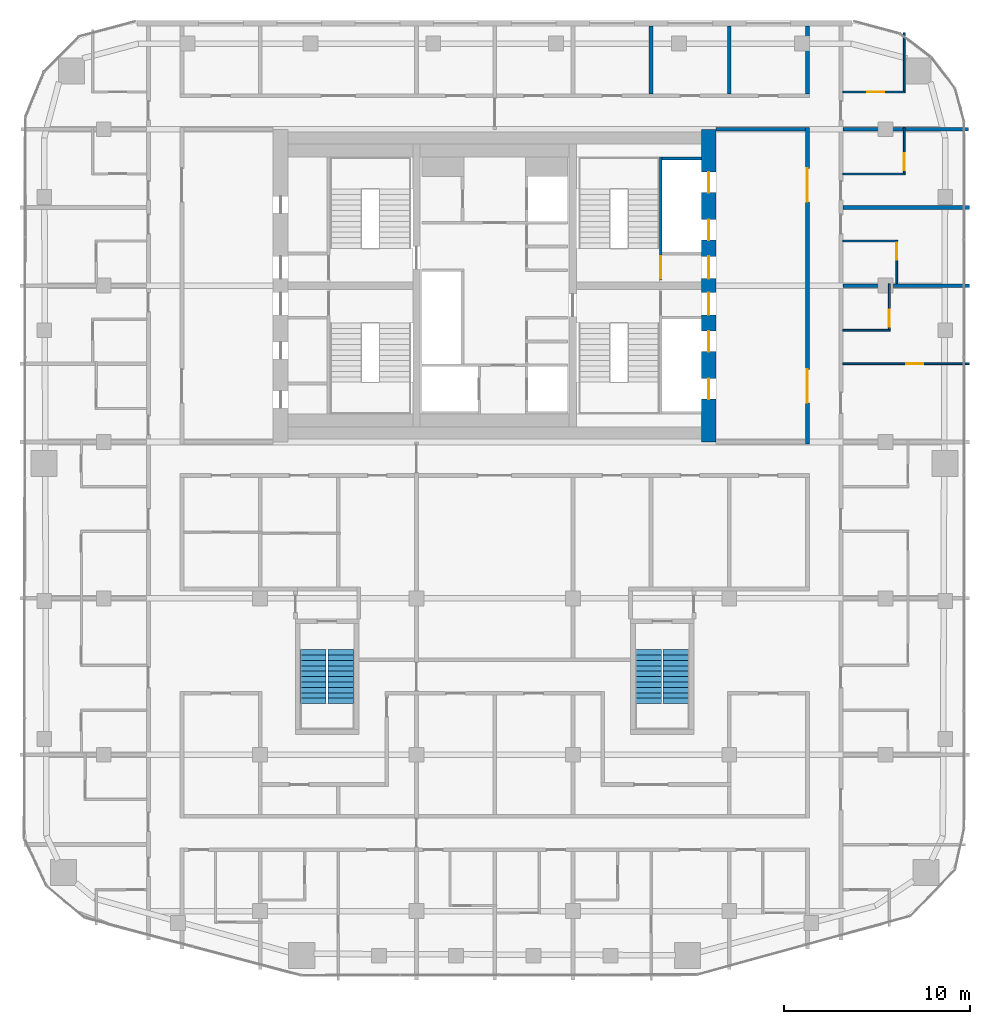
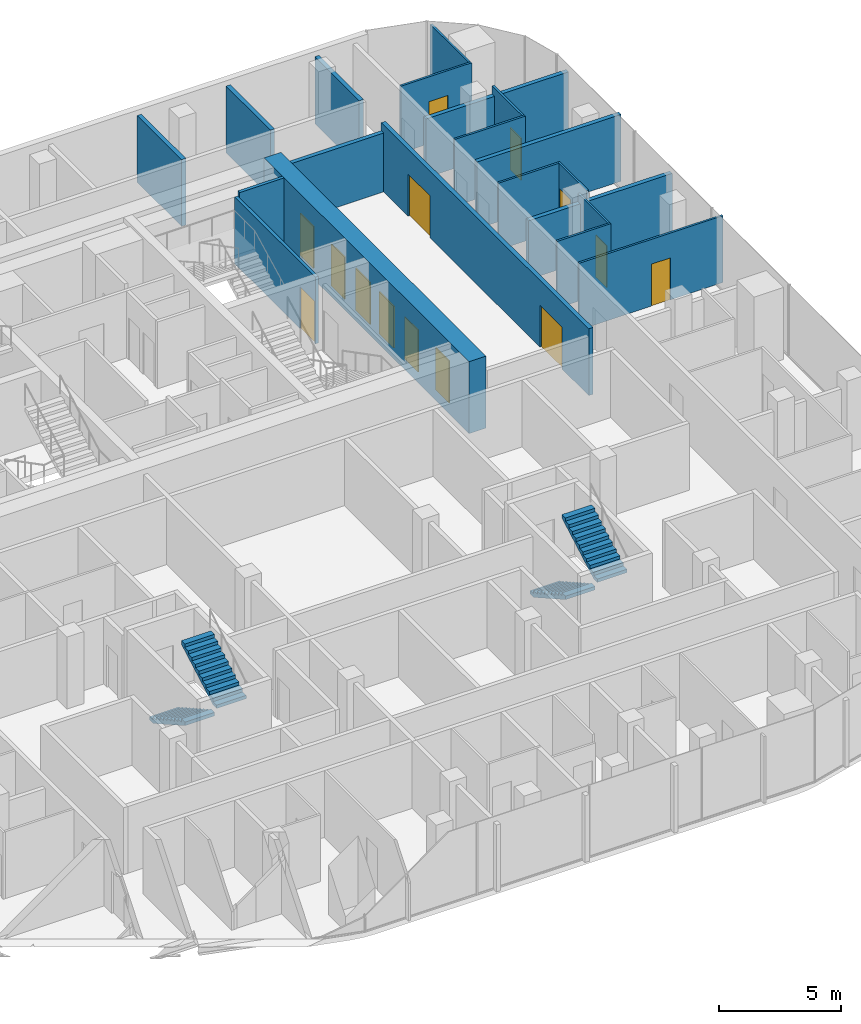
# One storey, part 20 of 22: 20 walls, 14 doors, 4 stair flights, 14 openings, 2 elements without a shape of their own.
"""IFC4 building model written with IfcOpenShell, lengths in metres."""

from ifc_helpers import new_model, si_unit, direction, frame, frame_2d, origin, place, context, subcontext, project, spatial, polyline, rectangle, outline, extrude, material, layer, layer_set, type_object, element, fill, aggregate, save


model = new_model("IFC4")

# Units and contexts
model_context = context("Model", 3, precision=1e-05, world=origin(), true_north=direction((0.0, 1.0)))
body_context = subcontext(model_context, "Body", "Model", "MODEL_VIEW")
ifc_project = project(units=[si_unit("LENGTHUNIT", "METRE"), si_unit("AREAUNIT", "SQUARE_METRE"), si_unit("VOLUMEUNIT", "CUBIC_METRE"), si_unit("PLANEANGLEUNIT", "RADIAN"), si_unit("MASSUNIT", "GRAM", prefix="KILO")], contexts=[model_context])

# Site, building, storey
site_placement = place(None, origin())
site = spatial("IfcSite", under=ifc_project, at=site_placement, CompositionType="ELEMENT")
building_placement = place(site_placement, origin())
building = spatial("IfcBuilding", under=site, at=building_placement, Name="Marenta Gate Hotel Tower", CompositionType="ELEMENT")
storey_placement = place(building_placement, frame((0.0, 0.0, 238.10009765625)))
storey = spatial("IfcBuildingStorey", under=building, at=storey_placement, Name="L56", CompositionType="ELEMENT", Elevation=238.10009765625)

# Wall, openings, doors
ifc_material_1 = material(Name="Concrete blockwork", Category="masonry")
ifc_layer_1 = layer(ifc_material_1, 0.199951171875)
ifc_layer_set_1 = layer_set([ifc_layer_1], Name="Concrete blockwork")
wall_type_1 = type_object("IfcWallType", Name="Core boundary wall 200 REI 180", PredefinedType="PARTITIONING", material=ifc_layer_set_1)
wall_1_placement = place(storey_placement, frame((16.800048828125, -0.10009765625, 0.0), z_axis=(0.0, 0.0, 1.0), x_axis=(0.0, 1.0, 0.0)))
wall_1 = element("IfcWall", 1, at=wall_1_placement, inside=storey, type_object=wall_type_1, Name="L56-CP-BW-E", PredefinedType="PARTITIONING", context=body_context, shape_type="SweptSolid", body=[
    extrude(rectangle(XDim=17.0, YDim=0.199951171875, at=frame_2d((8.5, 0.0))), origin(), (0.0, 0.0, 1.0), 3.33984375),
])
opening_1_placement = place(wall_1_placement, frame((2.199951171875, 0.0, 0.0)))
opening_1 = element("IfcOpeningElement", 2, at=opening_1_placement, cuts=wall_1, Name="Opening ED-Ea-B", PredefinedType="OPENING", context=body_context, shape_type="SweptSolid", body=[
    extrude(rectangle(XDim=1.800048828125, YDim=2.10009765625, at=frame_2d((0.89990234375, 1.050048828125))), frame((0.0, 0.10009765625, 0.0), z_axis=(0.0, -1.0, 0.0), x_axis=(1.0, 0.0, 0.0)), (0.0, 0.0, 1.0), 0.199951171875),
])
opening_2_placement = place(wall_1_placement, frame((13.0, 0.0, 0.0)))
opening_2 = element("IfcOpeningElement", 3, at=opening_2_placement, cuts=wall_1, Name="Opening ED-Eb-B", PredefinedType="OPENING", context=body_context, shape_type="SweptSolid", body=[
    extrude(rectangle(XDim=1.800048828125, YDim=2.10009765625, at=frame_2d((0.89990234375, 1.050048828125))), frame((0.0, 0.10009765625, 0.0), z_axis=(0.0, -1.0, 0.0), x_axis=(1.0, 0.0, 0.0)), (0.0, 0.0, 1.0), 0.199951171875),
])
ifc_material_2 = material(Name="Steel", Category="steel")
door_type_1 = type_object("IfcDoorType", Name="Core lobby entrance door 1800x2100 EI 60", OperationType="DOUBLE_DOOR_SINGLE_SWING", PredefinedType="DOOR", material=ifc_material_2)
door_1_placement = place(opening_1_placement, origin())
door_1 = element("IfcDoor", 4, at=door_1_placement, inside=storey, type_object=door_type_1, Name="ED-Ea-B", OperationType="DOUBLE_DOOR_SINGLE_SWING", OverallHeight=2.10009765625, OverallWidth=1.800048828125, PredefinedType="DOOR", context=body_context, shape_type="SweptSolid", body=[
    extrude(rectangle(XDim=1.800048828125, YDim=2.10009765625, at=frame_2d((0.89990234375, 1.050048828125))), frame((0.0, 0.02490234375, 0.0), z_axis=(0.0, -1.0, 0.0), x_axis=(1.0, 0.0, 0.0)), (0.0, 0.0, 1.0), 0.050048828125),
])
fill(opening_1, door_1)
door_2_placement = place(opening_2_placement, origin())
door_2 = element("IfcDoor", 5, at=door_2_placement, inside=storey, type_object=door_type_1, Name="ED-Eb-B", OperationType="DOUBLE_DOOR_SINGLE_SWING", OverallHeight=2.10009765625, OverallWidth=1.800048828125, PredefinedType="DOOR", context=body_context, shape_type="SweptSolid", body=[
    extrude(rectangle(XDim=1.800048828125, YDim=2.10009765625, at=frame_2d((0.89990234375, 1.050048828125))), frame((0.0, 0.02490234375, 0.0), z_axis=(0.0, -1.0, 0.0), x_axis=(1.0, 0.0, 0.0)), (0.0, 0.0, 1.0), 0.050048828125),
])
fill(opening_2, door_2)

# Walls
wall_2_placement = place(storey_placement, frame((11.89990234375, 16.800048828125, 0.0), z_axis=(0.0, 0.0, 1.0), x_axis=(1.0, 0.0, 0.0)))
element("IfcWall", 6, at=wall_2_placement, inside=storey, type_object=wall_type_1, Name="L56-CP-EW-EN", PredefinedType="PARTITIONING", context=body_context, shape_type="SweptSolid", body=[
    extrude(rectangle(XDim=4.800048828125, YDim=0.199951171875, at=frame_2d((2.39990234375, 0.0))), origin(), (0.0, 0.0, 1.0), 2.93994140625),
])
ifc_material_3 = material(Name="Concrete C40", Category="concrete")
ifc_layer_2 = layer(ifc_material_3, 0.14990234375)
ifc_layer_set_2 = layer_set([ifc_layer_2], Name="Concrete C40")
wall_type_2 = type_object("IfcWallType", Name="Core shaft wall 150 REI 180", PredefinedType="SHEAR", material=ifc_layer_set_2)
wall_3_placement = place(storey_placement, frame((9.0, 15.22509765625, 0.0), z_axis=(0.0, 0.0, 1.0), x_axis=(1.0, 0.0, 0.0)))
element("IfcWall", 7, at=wall_3_placement, inside=storey, type_object=wall_type_2, Name="L56-SHF-SW-EN-5", PredefinedType="SHEAR", context=body_context, shape_type="SweptSolid", body=[
    extrude(rectangle(XDim=2.10009765625, YDim=0.14990234375, at=frame_2d((1.050048828125, 0.0))), origin(), (0.0, 0.0, 1.0), 3.599853515625),
])

# Wall, opening, door
ifc_material_4 = material(Name="Concrete C40", Category="concrete")
ifc_layer_3 = layer(ifc_material_4, 0.14990234375)
ifc_layer_set_3 = layer_set([ifc_layer_3], Name="Concrete C40")
wall_type_3 = type_object("IfcWallType", Name="Core stair enclosure wall 150 REI 180", PredefinedType="SHEAR", material=ifc_layer_set_3)
wall_4_placement = place(storey_placement, frame((8.925048828125, 8.699951171875, 0.0), z_axis=(0.0, 0.0, 1.0), x_axis=(0.0, 1.0, 0.0)))
wall_4 = element("IfcWall", 8, at=wall_4_placement, inside=storey, type_object=wall_type_3, Name="L56-SHF-SW-EN-3", PredefinedType="SHEAR", context=body_context, shape_type="SweptSolid", body=[
    extrude(rectangle(XDim=6.60009765625, YDim=0.14990234375, at=frame_2d((3.300048828125, 0.0))), origin(), (0.0, 0.0, 1.0), 3.33984375),
])
opening_3_placement = place(wall_4_placement, frame((0.074951171875, 0.0, 0.0)))
opening_3 = element("IfcOpeningElement", 9, at=opening_3_placement, cuts=wall_4, Name="Opening SD-EN", PredefinedType="OPENING", context=body_context, shape_type="SweptSolid", body=[
    extrude(rectangle(XDim=1.199951171875, YDim=2.10009765625, at=frame_2d((0.60009765625, 1.050048828125))), frame((0.0, 0.074951171875, 0.0), z_axis=(0.0, -1.0, 0.0), x_axis=(1.0, 0.0, 0.0)), (0.0, 0.0, 1.0), 0.14990234375),
])
ifc_material_5 = material(Name="Steel", Category="steel")
door_type_2 = type_object("IfcDoorType", Name="Core stair door 1200x2100 FD60", OperationType="SINGLE_SWING_LEFT", PredefinedType="DOOR", material=ifc_material_5)
door_3_placement = place(opening_3_placement, origin())
door_3 = element("IfcDoor", 10, at=door_3_placement, inside=storey, type_object=door_type_2, Name="SD-EN", OperationType="SINGLE_SWING_LEFT", OverallHeight=2.10009765625, OverallWidth=1.199951171875, PredefinedType="DOOR", context=body_context, shape_type="SweptSolid", body=[
    extrude(rectangle(XDim=1.199951171875, YDim=2.10009765625, at=frame_2d((0.60009765625, 1.050048828125))), frame((0.0, 0.02490234375, 0.0), z_axis=(0.0, -1.0, 0.0), x_axis=(1.0, 0.0, 0.0)), (0.0, 0.0, 1.0), 0.050048828125),
])
fill(opening_3, door_3)

# Wall, openings, doors
ifc_material_6 = material(Name="Concrete C60", Category="concrete")
ifc_layer_4 = layer(ifc_material_6, 0.800048828125)
ifc_layer_set_4 = layer_set([ifc_layer_4], Name="Concrete C60")
wall_type_4 = type_object("IfcWallType", Name="Core wall 800 C60", PredefinedType="SHEAR", material=ifc_layer_set_4)
wall_5_placement = place(storey_placement, frame((11.5, 0.0, 0.0), z_axis=(0.0, 0.0, 1.0), x_axis=(0.0, 1.0, 0.0)))
wall_5 = element("IfcWall", 11, at=wall_5_placement, inside=storey, type_object=wall_type_4, Name="L56-CORE-E", PredefinedType="SHEAR", context=body_context, shape_type="SweptSolid", body=[
    extrude(rectangle(XDim=16.800048828125, YDim=0.800048828125, at=frame_2d((8.39990234375, 0.0))), origin(), (0.0, 0.0, 1.0), 3.599853515625),
])
opening_4_placement = place(wall_5_placement, frame((2.300048828125, 0.0, 0.0)))
opening_4 = element("IfcOpeningElement", 12, at=opening_4_placement, cuts=wall_5, Name="Opening LD-HR1", PredefinedType="OPENING", context=body_context, shape_type="SweptSolid", body=[
    extrude(rectangle(XDim=1.10009765625, YDim=2.10009765625, at=frame_2d((0.550048828125, 1.050048828125))), frame((0.0, 0.39990234375, 0.0), z_axis=(0.0, -1.0, 0.0), x_axis=(1.0, 0.0, 0.0)), (0.0, 0.0, 1.0), 0.800048828125),
])
opening_5_placement = place(wall_5_placement, frame((4.85009765625, 0.0, 0.0)))
opening_5 = element("IfcOpeningElement", 13, at=opening_5_placement, cuts=wall_5, Name="Opening LD-HR2", PredefinedType="OPENING", context=body_context, shape_type="SweptSolid", body=[
    extrude(rectangle(XDim=1.10009765625, YDim=2.10009765625, at=frame_2d((0.550048828125, 1.050048828125))), frame((0.0, 0.39990234375, 0.0), z_axis=(0.0, -1.0, 0.0), x_axis=(1.0, 0.0, 0.0)), (0.0, 0.0, 1.0), 0.800048828125),
])
opening_6_placement = place(wall_5_placement, frame((6.824951171875, 0.0, 0.0)))
opening_6 = element("IfcOpeningElement", 14, at=opening_6_placement, cuts=wall_5, Name="Opening PD-ES", PredefinedType="OPENING", context=body_context, shape_type="SweptSolid", body=[
    extrude(rectangle(XDim=1.199951171875, YDim=2.10009765625, at=frame_2d((0.60009765625, 1.050048828125))), frame((0.0, 0.39990234375, 0.0), z_axis=(0.0, -1.0, 0.0), x_axis=(1.0, 0.0, 0.0)), (0.0, 0.0, 1.0), 0.800048828125),
])
opening_7_placement = place(wall_5_placement, frame((13.39990234375, 0.0, 0.0)))
opening_7 = element("IfcOpeningElement", 15, at=opening_7_placement, cuts=wall_5, Name="Opening LD-HR4", PredefinedType="OPENING", context=body_context, shape_type="SweptSolid", body=[
    extrude(rectangle(XDim=1.10009765625, YDim=2.10009765625, at=frame_2d((0.550048828125, 1.050048828125))), frame((0.0, 0.39990234375, 0.0), z_axis=(0.0, -1.0, 0.0), x_axis=(1.0, 0.0, 0.0)), (0.0, 0.0, 1.0), 0.800048828125),
])
opening_8_placement = place(wall_5_placement, frame((10.85009765625, 0.0, 0.0)))
opening_8 = element("IfcOpeningElement", 16, at=opening_8_placement, cuts=wall_5, Name="Opening LD-HR3", PredefinedType="OPENING", context=body_context, shape_type="SweptSolid", body=[
    extrude(rectangle(XDim=1.10009765625, YDim=2.10009765625, at=frame_2d((0.550048828125, 1.050048828125))), frame((0.0, 0.39990234375, 0.0), z_axis=(0.0, -1.0, 0.0), x_axis=(1.0, 0.0, 0.0)), (0.0, 0.0, 1.0), 0.800048828125),
])
opening_9_placement = place(wall_5_placement, frame((8.77490234375, 0.0, 0.0)))
opening_9 = element("IfcOpeningElement", 17, at=opening_9_placement, cuts=wall_5, Name="Opening PD-EN", PredefinedType="OPENING", context=body_context, shape_type="SweptSolid", body=[
    extrude(rectangle(XDim=1.199951171875, YDim=2.10009765625, at=frame_2d((0.60009765625, 1.050048828125))), frame((0.0, 0.39990234375, 0.0), z_axis=(0.0, -1.0, 0.0), x_axis=(1.0, 0.0, 0.0)), (0.0, 0.0, 1.0), 0.800048828125),
])
ifc_material_7 = material(Name="Steel", Category="steel")
door_type_3 = type_object("IfcDoorType", Name="Core lift landing door 1100x2100 E 60", OperationType="SLIDING_TO_LEFT", PredefinedType="DOOR", material=ifc_material_7)
door_4_placement = place(opening_4_placement, origin())
door_4 = element("IfcDoor", 18, at=door_4_placement, inside=storey, type_object=door_type_3, Name="LD-HR1", OperationType="SLIDING_TO_LEFT", OverallHeight=2.10009765625, OverallWidth=1.10009765625, PredefinedType="DOOR", context=body_context, shape_type="SweptSolid", body=[
    extrude(rectangle(XDim=1.10009765625, YDim=2.10009765625, at=frame_2d((0.550048828125, 1.050048828125))), frame((0.0, 0.02490234375, 0.0), z_axis=(0.0, -1.0, 0.0), x_axis=(1.0, 0.0, 0.0)), (0.0, 0.0, 1.0), 0.050048828125),
])
fill(opening_4, door_4)
door_5_placement = place(opening_5_placement, origin())
door_5 = element("IfcDoor", 19, at=door_5_placement, inside=storey, type_object=door_type_3, Name="LD-HR2", OperationType="SLIDING_TO_LEFT", OverallHeight=2.10009765625, OverallWidth=1.10009765625, PredefinedType="DOOR", context=body_context, shape_type="SweptSolid", body=[
    extrude(rectangle(XDim=1.10009765625, YDim=2.10009765625, at=frame_2d((0.550048828125, 1.050048828125))), frame((0.0, 0.02490234375, 0.0), z_axis=(0.0, -1.0, 0.0), x_axis=(1.0, 0.0, 0.0)), (0.0, 0.0, 1.0), 0.050048828125),
])
fill(opening_5, door_5)
door_6_placement = place(opening_7_placement, origin())
door_6 = element("IfcDoor", 20, at=door_6_placement, inside=storey, type_object=door_type_3, Name="LD-HR4", OperationType="SLIDING_TO_LEFT", OverallHeight=2.10009765625, OverallWidth=1.10009765625, PredefinedType="DOOR", context=body_context, shape_type="SweptSolid", body=[
    extrude(rectangle(XDim=1.10009765625, YDim=2.10009765625, at=frame_2d((0.550048828125, 1.050048828125))), frame((0.0, 0.02490234375, 0.0), z_axis=(0.0, -1.0, 0.0), x_axis=(1.0, 0.0, 0.0)), (0.0, 0.0, 1.0), 0.050048828125),
])
fill(opening_7, door_6)
door_7_placement = place(opening_8_placement, origin())
door_7 = element("IfcDoor", 21, at=door_7_placement, inside=storey, type_object=door_type_3, Name="LD-HR3", OperationType="SLIDING_TO_LEFT", OverallHeight=2.10009765625, OverallWidth=1.10009765625, PredefinedType="DOOR", context=body_context, shape_type="SweptSolid", body=[
    extrude(rectangle(XDim=1.10009765625, YDim=2.10009765625, at=frame_2d((0.550048828125, 1.050048828125))), frame((0.0, 0.02490234375, 0.0), z_axis=(0.0, -1.0, 0.0), x_axis=(1.0, 0.0, 0.0)), (0.0, 0.0, 1.0), 0.050048828125),
])
fill(opening_8, door_7)
ifc_material_8 = material(Name="Steel", Category="steel")
door_type_4 = type_object("IfcDoorType", Name="Core lobby door 1200x2100 FD60", OperationType="SINGLE_SWING_LEFT", PredefinedType="DOOR", material=ifc_material_8)
door_8_placement = place(opening_6_placement, origin())
door_8 = element("IfcDoor", 22, at=door_8_placement, inside=storey, type_object=door_type_4, Name="PD-ES", OperationType="SINGLE_SWING_LEFT", OverallHeight=2.10009765625, OverallWidth=1.199951171875, PredefinedType="DOOR", context=body_context, shape_type="SweptSolid", body=[
    extrude(rectangle(XDim=1.199951171875, YDim=2.10009765625, at=frame_2d((0.60009765625, 1.050048828125))), frame((0.0, 0.02490234375, 0.0), z_axis=(0.0, -1.0, 0.0), x_axis=(1.0, 0.0, 0.0)), (0.0, 0.0, 1.0), 0.050048828125),
])
fill(opening_6, door_8)
door_9_placement = place(opening_9_placement, origin())
door_9 = element("IfcDoor", 23, at=door_9_placement, inside=storey, type_object=door_type_4, Name="PD-EN", OperationType="SINGLE_SWING_LEFT", OverallHeight=2.10009765625, OverallWidth=1.199951171875, PredefinedType="DOOR", context=body_context, shape_type="SweptSolid", body=[
    extrude(rectangle(XDim=1.199951171875, YDim=2.10009765625, at=frame_2d((0.60009765625, 1.050048828125))), frame((0.0, 0.02490234375, 0.0), z_axis=(0.0, -1.0, 0.0), x_axis=(1.0, 0.0, 0.0)), (0.0, 0.0, 1.0), 0.050048828125),
])
fill(opening_9, door_9)

# Wall
ifc_material_9 = material(Name="Gypsum board on steel stud", Category="steel")
ifc_layer_5 = layer(ifc_material_9, 0.199951171875)
ifc_layer_set_5 = layer_set([ifc_layer_5], Name="Gypsum board on steel stud")
wall_type_5 = type_object("IfcWallType", Name="Room corridor wall 200 EI 60", PredefinedType="PARTITIONING", material=ifc_layer_set_5)
wall_6_placement = place(storey_placement, frame((16.800048828125, 18.699951171875, 0.0), z_axis=(0.0, 0.0, 1.0), x_axis=(0.0, 1.0, 0.0)))
element("IfcWall", 24, at=wall_6_placement, inside=storey, type_object=wall_type_5, Name="L56-PTN-W029", PredefinedType="PARTITIONING", context=body_context, shape_type="SweptSolid", body=[
    extrude(rectangle(XDim=3.64013671875, YDim=0.199951171875, at=frame_2d((1.820068359375, 0.0))), origin(), (0.0, 0.0, 1.0), 3.33984375),
])

# Wall, opening, door
ifc_material_10 = material(Name="Gypsum board on steel stud", Category="steel")
ifc_layer_6 = layer(ifc_material_10, 0.10009765625)
ifc_layer_set_6 = layer_set([ifc_layer_6], Name="Gypsum board on steel stud")
wall_type_6 = type_object("IfcWallType", Name="Room partition 100", PredefinedType="PARTITIONING", material=ifc_layer_set_6)
wall_7_placement = place(storey_placement, frame((22.0, 14.449951171875, 0.0), z_axis=(0.0, 0.0, 1.0), x_axis=(0.0, 1.0, 0.0)))
wall_7 = element("IfcWall", 25, at=wall_7_placement, inside=storey, type_object=wall_type_6, Name="L56-PTN-W013", PredefinedType="PARTITIONING", context=body_context, shape_type="SweptSolid", body=[
    extrude(rectangle(XDim=2.449951171875, YDim=0.10009765625, at=frame_2d((1.22509765625, 0.0))), origin(), (0.0, 0.0, 1.0), 3.33984375),
])
opening_10_placement = place(wall_7_placement, frame((0.14990234375, 0.0, 0.0)))
opening_10 = element("IfcOpeningElement", 26, at=opening_10_placement, cuts=wall_7, Name="Opening G20-32", PredefinedType="OPENING", context=body_context, shape_type="SweptSolid", body=[
    extrude(rectangle(XDim=0.89990234375, YDim=2.10009765625, at=frame_2d((0.449951171875, 1.050048828125))), frame((0.0, 0.050048828125, 0.0), z_axis=(0.0, -1.0, 0.0), x_axis=(1.0, 0.0, 0.0)), (0.0, 0.0, 1.0), 0.10009765625),
])
ifc_material_11 = material(Name="Timber door leaf", Category="wood")
door_type_5 = type_object("IfcDoorType", Name="Guest bathroom door 900x2100", OperationType="NOTDEFINED", PredefinedType="DOOR", material=ifc_material_11)
door_10_placement = place(opening_10_placement, origin())
door_10 = element("IfcDoor", 27, at=door_10_placement, inside=storey, type_object=door_type_5, Name="L56-PD-D032", OperationType="SINGLE_SWING_LEFT", OverallHeight=2.10009765625, OverallWidth=0.89990234375, PredefinedType="DOOR", context=body_context, shape_type="SweptSolid", body=[
    extrude(rectangle(XDim=0.89990234375, YDim=2.10009765625, at=frame_2d((0.449951171875, 1.050048828125))), frame((0.0, 0.02490234375, 0.0), z_axis=(0.0, -1.0, 0.0), x_axis=(1.0, 0.0, 0.0)), (0.0, 0.0, 1.0), 0.050048828125),
])
fill(opening_10, door_10)

# Wall
wall_8_placement = place(storey_placement, frame((22.0, 18.85009765625, 0.0), z_axis=(0.0, 0.0, 1.0), x_axis=(0.0, 1.0, 0.0)))
element("IfcWall", 28, at=wall_8_placement, inside=storey, type_object=wall_type_6, Name="L56-PTN-W014", PredefinedType="PARTITIONING", context=body_context, shape_type="SweptSolid", body=[
    extrude(rectangle(XDim=3.12890625, YDim=0.10009765625, at=frame_2d((1.564453125, 0.0))), origin(), (0.0, 0.0, 1.0), 3.33984375),
])

# Wall, opening, door
wall_9_placement = place(storey_placement, frame((21.60009765625, 8.5, 0.0), z_axis=(0.0, 0.0, 1.0), x_axis=(0.0, 1.0, 0.0)))
wall_9 = element("IfcWall", 29, at=wall_9_placement, inside=storey, type_object=wall_type_6, Name="L56-PTN-W018", PredefinedType="PARTITIONING", context=body_context, shape_type="SweptSolid", body=[
    extrude(rectangle(XDim=2.35009765625, YDim=0.10009765625, at=frame_2d((1.175048828125, 0.0))), origin(), (0.0, 0.0, 1.0), 3.33984375),
])
opening_11_placement = place(wall_9_placement, frame((1.300048828125, 0.0, 0.0)))
opening_11 = element("IfcOpeningElement", 30, at=opening_11_placement, cuts=wall_9, Name="Opening G20-30", PredefinedType="OPENING", context=body_context, shape_type="SweptSolid", body=[
    extrude(rectangle(XDim=0.89990234375, YDim=2.10009765625, at=frame_2d((0.449951171875, 1.050048828125))), frame((0.0, 0.050048828125, 0.0), z_axis=(0.0, -1.0, 0.0), x_axis=(1.0, 0.0, 0.0)), (0.0, 0.0, 1.0), 0.10009765625),
])
door_11_placement = place(opening_11_placement, origin())
door_11 = element("IfcDoor", 31, at=door_11_placement, inside=storey, type_object=door_type_5, Name="L56-PD-D030", OperationType="SINGLE_SWING_RIGHT", OverallHeight=2.10009765625, OverallWidth=0.89990234375, PredefinedType="DOOR", context=body_context, shape_type="SweptSolid", body=[
    extrude(rectangle(XDim=0.89990234375, YDim=2.10009765625, at=frame_2d((0.449951171875, 1.050048828125))), frame((0.0, 0.02490234375, 0.0), z_axis=(0.0, -1.0, 0.0), x_axis=(1.0, 0.0, 0.0)), (0.0, 0.0, 1.0), 0.050048828125),
])
fill(opening_11, door_11)

wall_10_placement = place(storey_placement, frame((21.199951171875, 6.050048828125, 0.0), z_axis=(0.0, 0.0, 1.0), x_axis=(0.0, 1.0, 0.0)))
wall_10 = element("IfcWall", 32, at=wall_10_placement, inside=storey, type_object=wall_type_6, Name="L56-PTN-W020", PredefinedType="PARTITIONING", context=body_context, shape_type="SweptSolid", body=[
    extrude(rectangle(XDim=2.449951171875, YDim=0.10009765625, at=frame_2d((1.22509765625, 0.0))), origin(), (0.0, 0.0, 1.0), 3.33984375),
])
opening_12_placement = place(wall_10_placement, frame((0.14990234375, 0.0, 0.0)))
opening_12 = element("IfcOpeningElement", 33, at=opening_12_placement, cuts=wall_10, Name="Opening G20-28", PredefinedType="OPENING", context=body_context, shape_type="SweptSolid", body=[
    extrude(rectangle(XDim=0.89990234375, YDim=2.10009765625, at=frame_2d((0.449951171875, 1.050048828125))), frame((0.0, 0.050048828125, 0.0), z_axis=(0.0, -1.0, 0.0), x_axis=(1.0, 0.0, 0.0)), (0.0, 0.0, 1.0), 0.10009765625),
])
door_12_placement = place(opening_12_placement, origin())
door_12 = element("IfcDoor", 34, at=door_12_placement, inside=storey, type_object=door_type_5, Name="L56-PD-D028", OperationType="SINGLE_SWING_LEFT", OverallHeight=2.10009765625, OverallWidth=0.89990234375, PredefinedType="DOOR", context=body_context, shape_type="SweptSolid", body=[
    extrude(rectangle(XDim=0.89990234375, YDim=2.10009765625, at=frame_2d((0.449951171875, 1.050048828125))), frame((0.0, 0.02490234375, 0.0), z_axis=(0.0, -1.0, 0.0), x_axis=(1.0, 0.0, 0.0)), (0.0, 0.0, 1.0), 0.050048828125),
])
fill(opening_12, door_12)

wall_11_placement = place(storey_placement, frame((18.699951171875, 4.199951171875, 0.0), z_axis=(0.0, 0.0, 1.0), x_axis=(1.0, 0.0, 0.0)))
wall_11 = element("IfcWall", 35, at=wall_11_placement, inside=storey, type_object=wall_type_6, Name="L56-PTN-W083", PredefinedType="PARTITIONING", context=body_context, shape_type="SweptSolid", body=[
    extrude(rectangle(XDim=6.800048828125, YDim=0.10009765625, at=frame_2d((3.39990234375, 0.0))), origin(), (0.0, 0.0, 1.0), 3.33984375),
])
opening_13_placement = place(wall_11_placement, frame((3.409912109375, 0.0, 0.0)))
opening_13 = element("IfcOpeningElement", 36, at=opening_13_placement, cuts=wall_11, Name="Opening G20-27", PredefinedType="OPENING", context=body_context, shape_type="SweptSolid", body=[
    extrude(rectangle(XDim=0.89990234375, YDim=2.10009765625, at=frame_2d((0.449951171875, 1.050048828125))), frame((0.0, 0.050048828125, 0.0), z_axis=(0.0, -1.0, 0.0), x_axis=(1.0, 0.0, 0.0)), (0.0, 0.0, 1.0), 0.10009765625),
])
ifc_material_12 = material(Name="Timber door leaf", Category="wood")
door_type_6 = type_object("IfcDoorType", Name="Room inner door 900x2100", OperationType="NOTDEFINED", PredefinedType="DOOR", material=ifc_material_12)
door_13_placement = place(opening_13_placement, origin())
door_13 = element("IfcDoor", 37, at=door_13_placement, inside=storey, type_object=door_type_6, Name="L56-PD-D027", OperationType="SINGLE_SWING_RIGHT", OverallHeight=2.10009765625, OverallWidth=0.89990234375, PredefinedType="DOOR", context=body_context, shape_type="SweptSolid", body=[
    extrude(rectangle(XDim=0.89990234375, YDim=2.10009765625, at=frame_2d((0.449951171875, 1.050048828125))), frame((0.0, 0.02490234375, 0.0), z_axis=(0.0, -1.0, 0.0), x_axis=(1.0, 0.0, 0.0)), (0.0, 0.0, 1.0), 0.050048828125),
])
fill(opening_13, door_13)

# Walls
wall_12_placement = place(storey_placement, frame((18.699951171875, 6.0, 0.0), z_axis=(0.0, 0.0, 1.0), x_axis=(1.0, 0.0, 0.0)))
element("IfcWall", 38, at=wall_12_placement, inside=storey, type_object=wall_type_6, Name="L56-PTN-W085", PredefinedType="PARTITIONING", context=body_context, shape_type="SweptSolid", body=[
    extrude(rectangle(XDim=2.550048828125, YDim=0.10009765625, at=frame_2d((1.27490234375, 0.0))), origin(), (0.0, 0.0, 1.0), 3.33984375),
])
wall_13_placement = place(storey_placement, frame((18.699951171875, 10.800048828125, 0.0), z_axis=(0.0, 0.0, 1.0), x_axis=(1.0, 0.0, 0.0)))
element("IfcWall", 39, at=wall_13_placement, inside=storey, type_object=wall_type_6, Name="L56-PTN-W096", PredefinedType="PARTITIONING", context=body_context, shape_type="SweptSolid", body=[
    extrude(rectangle(XDim=2.85009765625, YDim=0.10009765625, at=frame_2d((1.425048828125, 0.0))), origin(), (0.0, 0.0, 1.0), 3.33984375),
])
wall_14_placement = place(storey_placement, frame((18.699951171875, 14.39990234375, 0.0), z_axis=(0.0, 0.0, 1.0), x_axis=(1.0, 0.0, 0.0)))
element("IfcWall", 40, at=wall_14_placement, inside=storey, type_object=wall_type_6, Name="L56-PTN-W105", PredefinedType="PARTITIONING", context=body_context, shape_type="SweptSolid", body=[
    extrude(rectangle(XDim=3.35009765625, YDim=0.10009765625, at=frame_2d((1.675048828125, 0.0))), origin(), (0.0, 0.0, 1.0), 3.33984375),
])

# Wall, opening, door
wall_15_placement = place(storey_placement, frame((18.699951171875, 18.800048828125, 0.0), z_axis=(0.0, 0.0, 1.0), x_axis=(1.0, 0.0, 0.0)))
wall_15 = element("IfcWall", 41, at=wall_15_placement, inside=storey, type_object=wall_type_6, Name="L56-PTN-W116", PredefinedType="PARTITIONING", context=body_context, shape_type="SweptSolid", body=[
    extrude(rectangle(XDim=3.35009765625, YDim=0.10009765625, at=frame_2d((1.675048828125, 0.0))), origin(), (0.0, 0.0, 1.0), 3.33984375),
])
opening_14_placement = place(wall_15_placement, frame((1.320068359375, 0.0, 0.0)))
opening_14 = element("IfcOpeningElement", 42, at=opening_14_placement, cuts=wall_15, Name="Opening G20-34", PredefinedType="OPENING", context=body_context, shape_type="SweptSolid", body=[
    extrude(rectangle(XDim=0.89990234375, YDim=2.10009765625, at=frame_2d((0.449951171875, 1.050048828125))), frame((0.0, 0.050048828125, 0.0), z_axis=(0.0, -1.0, 0.0), x_axis=(1.0, 0.0, 0.0)), (0.0, 0.0, 1.0), 0.10009765625),
])
door_14_placement = place(opening_14_placement, origin())
door_14 = element("IfcDoor", 43, at=door_14_placement, inside=storey, type_object=door_type_5, Name="L56-PD-D034", OperationType="SINGLE_SWING_RIGHT", OverallHeight=2.10009765625, OverallWidth=0.89990234375, PredefinedType="DOOR", context=body_context, shape_type="SweptSolid", body=[
    extrude(rectangle(XDim=0.89990234375, YDim=2.10009765625, at=frame_2d((0.449951171875, 1.050048828125))), frame((0.0, 0.02490234375, 0.0), z_axis=(0.0, -1.0, 0.0), x_axis=(1.0, 0.0, 0.0)), (0.0, 0.0, 1.0), 0.050048828125),
])
fill(opening_14, door_14)

# Walls
ifc_material_13 = material(Name="Gypsum board on steel stud", Category="steel")
ifc_layer_7 = layer(ifc_material_13, 0.199951171875)
ifc_layer_set_7 = layer_set([ifc_layer_7], Name="Gypsum board on steel stud")
wall_type_7 = type_object("IfcWallType", Name="Room party wall 200 EI 60", PredefinedType="PARTITIONING", material=ifc_layer_set_7)
for number, where, z_axis, x_axis, name in (
    (44, (12.60009765625, 18.699951171875, 0.0), (0.0, 0.0, 1.0), (0.0, 1.0, 0.0), "L56-PTN-W041"),
    (45, (8.39990234375, 18.699951171875, 0.0), (0.0, 0.0, 1.0), (0.0, 1.0, 0.0), "L56-PTN-W049"),
):
    element("IfcWall", number, at=place(storey_placement, frame(where, z_axis=z_axis, x_axis=x_axis)), inside=storey, type_object=wall_type_7, Name=name, PredefinedType="PARTITIONING", context=body_context, shape_type="SweptSolid", body=[
        extrude(rectangle(XDim=3.64013671875, YDim=0.199951171875, at=frame_2d((1.820068359375, 0.0))), origin(), (0.0, 0.0, 1.0), 3.33984375),
    ])
wall_16_placement = place(storey_placement, frame((18.699951171875, 8.39990234375, 0.0), z_axis=(0.0, 0.0, 1.0), x_axis=(1.0, 0.0, 0.0)))
element("IfcWall", 46, at=wall_16_placement, inside=storey, type_object=wall_type_7, Name="L56-PTN-W092", PredefinedType="PARTITIONING", context=body_context, shape_type="SweptSolid", body=[
    extrude(rectangle(XDim=6.800048828125, YDim=0.199951171875, at=frame_2d((3.39990234375, 0.0))), origin(), (0.0, 0.0, 1.0), 2.93994140625),
])
wall_17_placement = place(storey_placement, frame((18.699951171875, 12.60009765625, 0.0), z_axis=(0.0, 0.0, 1.0), x_axis=(1.0, 0.0, 0.0)))
element("IfcWall", 47, at=wall_17_placement, inside=storey, type_object=wall_type_7, Name="L56-PTN-W103", PredefinedType="PARTITIONING", context=body_context, shape_type="SweptSolid", body=[
    extrude(rectangle(XDim=6.800048828125, YDim=0.199951171875, at=frame_2d((3.39990234375, 0.0))), origin(), (0.0, 0.0, 1.0), 3.33984375),
])
wall_18_placement = place(storey_placement, frame((18.699951171875, 16.800048828125, 0.0), z_axis=(0.0, 0.0, 1.0), x_axis=(1.0, 0.0, 0.0)))
element("IfcWall", 48, at=wall_18_placement, inside=storey, type_object=wall_type_7, Name="L56-PTN-W112", PredefinedType="PARTITIONING", context=body_context, shape_type="SweptSolid", body=[
    extrude(rectangle(XDim=6.7470703125, YDim=0.199951171875, at=frame_2d((3.37353515625, 0.0))), origin(), (0.0, 0.0, 1.0), 2.93994140625),
])

# Stair, stair flights
ifc_material_14 = material(Name="Concrete C40", Category="concrete")
stair_type = type_object("IfcStairType", Name="Remote exit stair 1400 wide", PredefinedType="HALF_TURN_STAIR", material=ifc_material_14)
stair_1_placement = place(storey_placement, origin())
stair_1 = element("IfcStair", 49, at=stair_1_placement, inside=storey, type_object=stair_type, Name="Exit stair RS-Z3-1", PredefinedType="HALF_TURN_STAIR")
ifc_material_15 = material(Name="Concrete C40", Category="concrete")
stair_flight_type = type_object("IfcStairFlightType", Name="Remote stair flight 1400 riser 163.6 going 290", PredefinedType="STRAIGHT", material=ifc_material_15)
stair_flight_1_placement = place(storey_placement, frame((-9.75, -11.14990234375, 0.0), z_axis=(0.0, 0.0, 1.0), x_axis=(0.0, -1.0, 0.0)))
stair_flight_1 = element("IfcStairFlight", 50, at=stair_flight_1_placement, type_object=stair_flight_type, Name="RS-Z3-1 flight 1", NumberOfRisers=11, NumberOfTreads=10, PredefinedType="STRAIGHT", RiserHeight=0.163636, TreadLength=0.29, context=body_context, shape_type="SweptSolid", body=[
    extrude(outline(polyline([(0.0, 0.0), (0.0, 0.16357421875), (0.2900390625, 0.16357421875), (0.2900390625, 0.327392578125), (0.580078125, 0.327392578125), (0.580078125, 0.490966796875), (0.8701171875, 0.490966796875), (0.8701171875, 0.654541015625), (1.159912109375, 0.654541015625), (1.159912109375, 0.818115234375), (1.449951171875, 0.818115234375), (1.449951171875, 0.98193359375), (1.739990234375, 0.98193359375), (1.739990234375, 1.1455078125), (2.030029296875, 1.1455078125), (2.030029296875, 1.30908203125), (2.320068359375, 1.30908203125), (2.320068359375, 1.47265625), (2.610107421875, 1.47265625), (2.610107421875, 1.636474609375), (2.89990234375, 1.636474609375), (2.89990234375, 1.800048828125), (2.89990234375, 1.46435546875), (0.304931640625, 0.0), (0.0, 0.0)])), frame((0.0, 0.699951171875, 0.0), z_axis=(0.0, -1.0, 0.0), x_axis=(1.0, 0.0, 0.0)), (0.0, 0.0, 1.0), 1.39990234375),
])
stair_flight_2_placement = place(storey_placement, frame((-8.25, -14.050048828125, 1.7998046875), z_axis=(0.0, 0.0, 1.0), x_axis=(0.0, 1.0, 0.0)))
stair_flight_2 = element("IfcStairFlight", 51, at=stair_flight_2_placement, type_object=stair_flight_type, Name="RS-Z3-1 flight 2", NumberOfRisers=11, NumberOfTreads=10, PredefinedType="STRAIGHT", RiserHeight=0.163636, TreadLength=0.29, context=body_context, shape_type="SweptSolid", body=[
    extrude(outline(polyline([(0.0, 0.0), (0.0, 0.16357421875), (0.2900390625, 0.16357421875), (0.2900390625, 0.327392578125), (0.580078125, 0.327392578125), (0.580078125, 0.490966796875), (0.8701171875, 0.490966796875), (0.8701171875, 0.654541015625), (1.159912109375, 0.654541015625), (1.159912109375, 0.818115234375), (1.449951171875, 0.818115234375), (1.449951171875, 0.98193359375), (1.739990234375, 0.98193359375), (1.739990234375, 1.1455078125), (2.030029296875, 1.1455078125), (2.030029296875, 1.30908203125), (2.320068359375, 1.30908203125), (2.320068359375, 1.47265625), (2.610107421875, 1.47265625), (2.610107421875, 1.636474609375), (2.89990234375, 1.636474609375), (2.89990234375, 1.800048828125), (2.89990234375, 1.46435546875), (0.304931640625, 0.0), (0.0, 0.0)])), frame((0.0, 0.699951171875, 0.0), z_axis=(0.0, -1.0, 0.0), x_axis=(1.0, 0.0, 0.0)), (0.0, 0.0, 1.0), 1.39990234375),
])
aggregate(stair_1, [stair_flight_1, stair_flight_2])

stair_2_placement = place(storey_placement, origin())
stair_2 = element("IfcStair", 52, at=stair_2_placement, inside=storey, type_object=stair_type, Name="Exit stair RS-Z3-2", PredefinedType="HALF_TURN_STAIR")
stair_flight_3_placement = place(storey_placement, frame((8.25, -11.14990234375, 0.0), z_axis=(0.0, 0.0, 1.0), x_axis=(0.0, -1.0, 0.0)))
stair_flight_3 = element("IfcStairFlight", 53, at=stair_flight_3_placement, type_object=stair_flight_type, Name="RS-Z3-2 flight 1", NumberOfRisers=11, NumberOfTreads=10, PredefinedType="STRAIGHT", RiserHeight=0.163636, TreadLength=0.29, context=body_context, shape_type="SweptSolid", body=[
    extrude(outline(polyline([(0.0, 0.0), (0.0, 0.16357421875), (0.2900390625, 0.16357421875), (0.2900390625, 0.327392578125), (0.580078125, 0.327392578125), (0.580078125, 0.490966796875), (0.8701171875, 0.490966796875), (0.8701171875, 0.654541015625), (1.159912109375, 0.654541015625), (1.159912109375, 0.818115234375), (1.449951171875, 0.818115234375), (1.449951171875, 0.98193359375), (1.739990234375, 0.98193359375), (1.739990234375, 1.1455078125), (2.030029296875, 1.1455078125), (2.030029296875, 1.30908203125), (2.320068359375, 1.30908203125), (2.320068359375, 1.47265625), (2.610107421875, 1.47265625), (2.610107421875, 1.636474609375), (2.89990234375, 1.636474609375), (2.89990234375, 1.800048828125), (2.89990234375, 1.46435546875), (0.304931640625, 0.0), (0.0, 0.0)])), frame((0.0, 0.699951171875, 0.0), z_axis=(0.0, -1.0, 0.0), x_axis=(1.0, 0.0, 0.0)), (0.0, 0.0, 1.0), 1.39990234375),
])
stair_flight_4_placement = place(storey_placement, frame((9.75, -14.050048828125, 1.7998046875), z_axis=(0.0, 0.0, 1.0), x_axis=(0.0, 1.0, 0.0)))
stair_flight_4 = element("IfcStairFlight", 54, at=stair_flight_4_placement, type_object=stair_flight_type, Name="RS-Z3-2 flight 2", NumberOfRisers=11, NumberOfTreads=10, PredefinedType="STRAIGHT", RiserHeight=0.163636, TreadLength=0.29, context=body_context, shape_type="SweptSolid", body=[
    extrude(outline(polyline([(0.0, 0.0), (0.0, 0.16357421875), (0.2900390625, 0.16357421875), (0.2900390625, 0.327392578125), (0.580078125, 0.327392578125), (0.580078125, 0.490966796875), (0.8701171875, 0.490966796875), (0.8701171875, 0.654541015625), (1.159912109375, 0.654541015625), (1.159912109375, 0.818115234375), (1.449951171875, 0.818115234375), (1.449951171875, 0.98193359375), (1.739990234375, 0.98193359375), (1.739990234375, 1.1455078125), (2.030029296875, 1.1455078125), (2.030029296875, 1.30908203125), (2.320068359375, 1.30908203125), (2.320068359375, 1.47265625), (2.610107421875, 1.47265625), (2.610107421875, 1.636474609375), (2.89990234375, 1.636474609375), (2.89990234375, 1.800048828125), (2.89990234375, 1.46435546875), (0.304931640625, 0.0), (0.0, 0.0)])), frame((0.0, 0.699951171875, 0.0), z_axis=(0.0, -1.0, 0.0), x_axis=(1.0, 0.0, 0.0)), (0.0, 0.0, 1.0), 1.39990234375),
])
aggregate(stair_2, [stair_flight_3, stair_flight_4])

save(model, "model.ifc")
